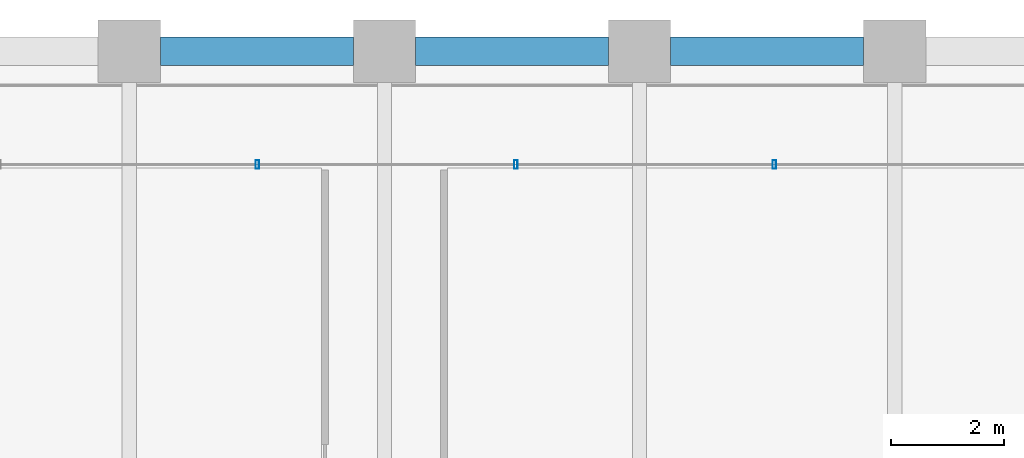
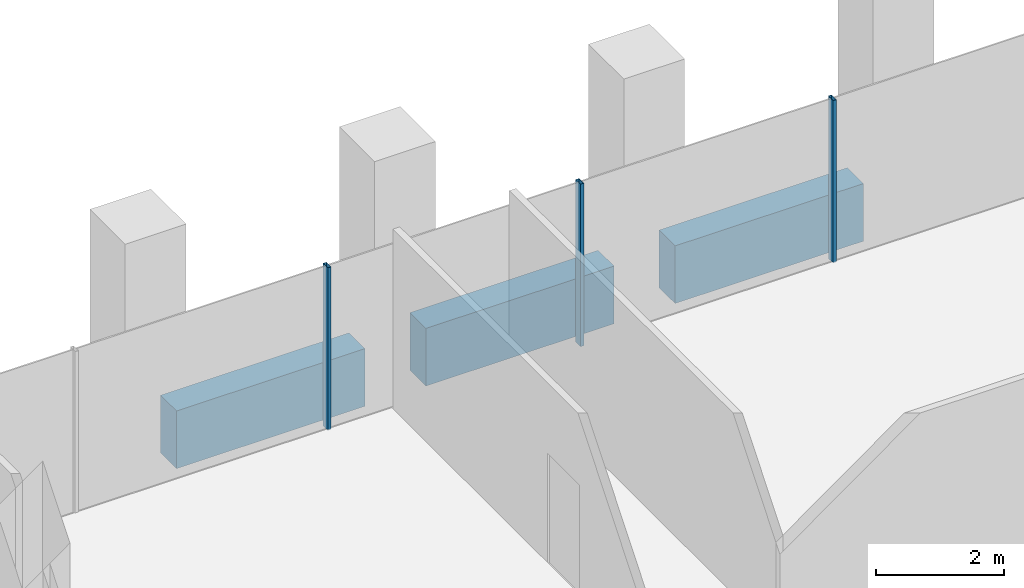
# One storey, part 29 of 54: 3 beams, 3 members, 1 element without a shape of its own.
"""IFC4 building model written with IfcOpenShell, lengths in metres."""

from ifc_helpers import new_model, si_unit, direction, frame, origin, origin_2d, place, context, subcontext, project, spatial, rectangle, hollow_rectangle, extrude, material, material_profile, profile_set, type_object, element, aggregate, save


model = new_model("IFC4")

# Units and contexts
model_context = context("Model", 3, precision=1e-05, world=origin(), true_north=direction((0.0, 1.0)))
body_context = subcontext(model_context, "Body", "Model", "MODEL_VIEW")
ifc_project = project(units=[si_unit("LENGTHUNIT", "METRE"), si_unit("AREAUNIT", "SQUARE_METRE"), si_unit("VOLUMEUNIT", "CUBIC_METRE"), si_unit("PLANEANGLEUNIT", "RADIAN"), si_unit("MASSUNIT", "GRAM", prefix="KILO")], contexts=[model_context])

# Site, building, storey
site_placement = place(None, origin())
site = spatial("IfcSite", under=ifc_project, at=site_placement, CompositionType="ELEMENT")
building_placement = place(site_placement, origin())
building = spatial("IfcBuilding", under=site, at=building_placement, Name="Altepetl Exchange Towers", CompositionType="ELEMENT")
storey_placement = place(building_placement, frame((0.0, 0.0, 58.199951171875)))
storey = spatial("IfcBuildingStorey", under=building, at=storey_placement, Name="L13", CompositionType="ELEMENT", Elevation=58.199951171875)

# Curtain wall, members
ifc_material_1 = material(Name="Aluminium 6063-T6 glazing", Category="aluminium")
curtain_wall_type = type_object("IfcCurtainWallType", Name="Loggia glazing system", PredefinedType="NOTDEFINED", material=ifc_material_1)
curtain_wall_placement = place(storey_placement, origin())
curtain_wall = element("IfcCurtainWall", 1, at=curtain_wall_placement, inside=storey, type_object=curtain_wall_type, Name="CW1 run", PredefinedType="NOTDEFINED")
ifc_material_2 = material(Name="Aluminium 6063-T6", Category="aluminium")
ifc_material_profile_1 = material_profile(ifc_material_2, hollow_rectangle(XDim=0.06005859375, YDim=0.14990234375, WallThickness=0.0029296875, at=origin_2d()), Name="Mullion 60x150 aluminium")
ifc_profile_set_1 = profile_set([ifc_material_profile_1], Name="Aluminium 6063-T6")
member_type = type_object("IfcMemberType", Name="Mullion 60x150 aluminium", PredefinedType="MULLION", material=ifc_profile_set_1)
member_1_placement = place(storey_placement, frame((56.378662109375, 70.0, 0.0), z_axis=(0.0, 0.0, 1.0), x_axis=(-1.0, 0.0, 0.0)))
member_1 = element("IfcMember", 2, at=member_1_placement, type_object=member_type, Name="MU1 mullion", PredefinedType="MULLION", context=body_context, shape_type="SweptSolid", body=[
    extrude(hollow_rectangle(XDim=0.06005859375, YDim=0.14990234375, WallThickness=0.0029296875, at=origin_2d()), origin(), (0.0, 0.0, 1.0), 3.10009765625),
])
member_2_placement = place(storey_placement, frame((51.81787109375, 70.0, 0.0), z_axis=(0.0, 0.0, 1.0), x_axis=(-1.0, 0.0, 0.0)))
member_2 = element("IfcMember", 3, at=member_2_placement, type_object=member_type, Name="MU1 mullion", PredefinedType="MULLION", context=body_context, shape_type="SweptSolid", body=[
    extrude(hollow_rectangle(XDim=0.06005859375, YDim=0.14990234375, WallThickness=0.0029296875, at=origin_2d()), origin(), (0.0, 0.0, 1.0), 3.10009765625),
])
member_3_placement = place(storey_placement, frame((47.257080078125, 70.0, 0.0), z_axis=(0.0, 0.0, 1.0), x_axis=(-1.0, 0.0, 0.0)))
member_3 = element("IfcMember", 4, at=member_3_placement, type_object=member_type, Name="MU1 mullion", PredefinedType="MULLION", context=body_context, shape_type="SweptSolid", body=[
    extrude(hollow_rectangle(XDim=0.06005859375, YDim=0.14990234375, WallThickness=0.0029296875, at=origin_2d()), origin(), (0.0, 0.0, 1.0), 3.10009765625),
])
aggregate(curtain_wall, [member_1, member_2, member_3])

# Beams
ifc_material_3 = material(Name="Concrete C50/60 precast with cantera rosa facing", Category="concrete")
ifc_material_profile_2 = material_profile(ifc_material_3, rectangle(XDim=0.5, YDim=1.10009765625, at=origin_2d()), Name="500 x 1100")
ifc_profile_set_2 = profile_set([ifc_material_profile_2], Name="Concrete C50/60 precast with cantera rosa facing")
beam_type = type_object("IfcBeamType", Name="Spandrel beam 500x1100 cantera rosa", PredefinedType="SPANDREL", material=ifc_profile_set_2)
for number, where, z_axis, x_axis, name in (
    (5, (57.949951171875, 72.0, -0.699951171875), (-1.0, 0.0, 0.0), (0.0, -1.0, 0.0), "sp:A:L13:026"),
    (6, (53.449951171875, 72.0, -0.699951171875), (-1.0, 0.0, 0.0), (0.0, -1.0, 0.0), "sp:A:L13:027"),
    (7, (48.949951171875, 72.0, -0.699951171875), (-1.0, 0.0, 0.0), (0.0, -1.0, 0.0), "sp:A:L13:028"),
):
    element("IfcBeam", number, at=place(storey_placement, frame(where, z_axis=z_axis, x_axis=x_axis)), inside=storey, type_object=beam_type, Name=name, PredefinedType="SPANDREL", context=body_context, shape_type="SweptSolid", body=[
        extrude(rectangle(XDim=0.5, YDim=1.10009765625, at=origin_2d()), origin(), (0.0, 0.0, 1.0), 3.39990234375),
    ])

save(model, "model.ifc")
